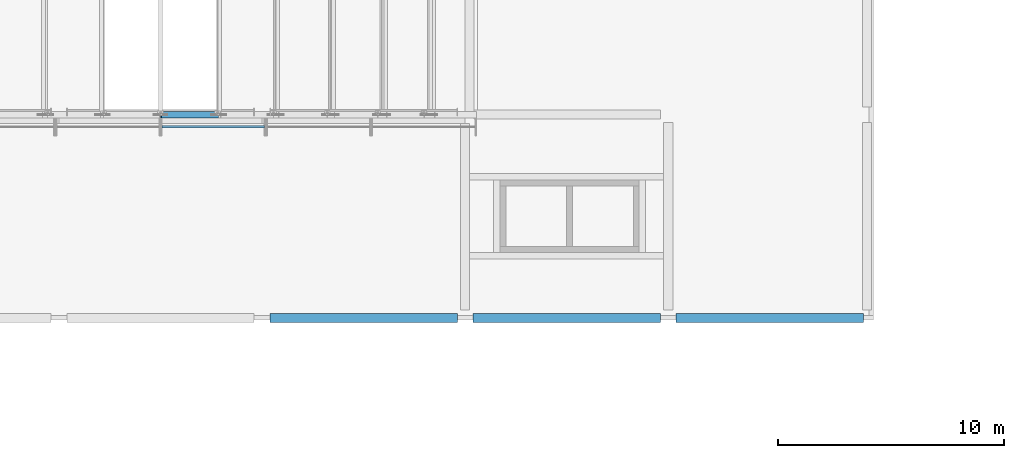
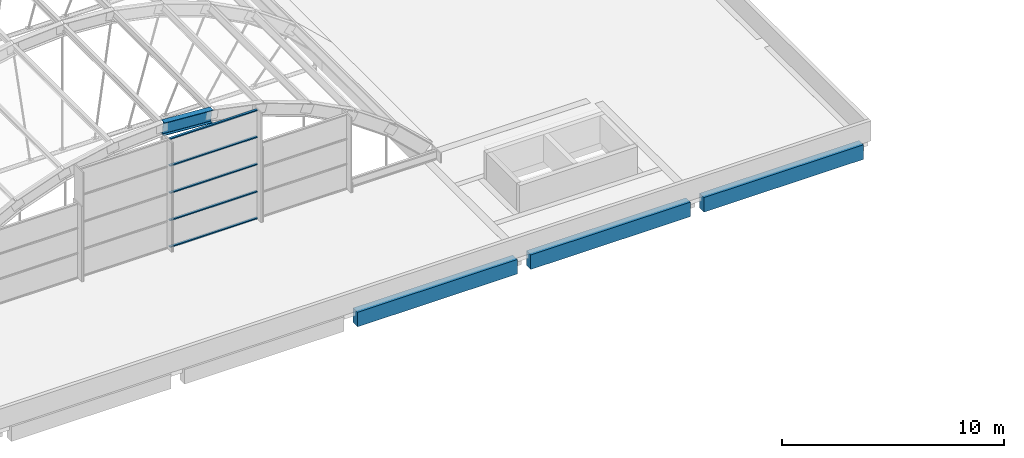
# One storey, part 6 of 43: 5 members, 4 beams, 1 element without a shape of its own.
"""IFC4 building model written with IfcOpenShell, lengths in metres."""

from ifc_helpers import new_model, si_unit, direction, frame, origin, origin_2d, place, context, subcontext, project, spatial, rectangle, i_section, extrude, material, layer, layer_set, material_profile, profile_set, type_object, element, aggregate, save


model = new_model("IFC4")

# Units and contexts
model_context = context("Model", 3, precision=1e-05, world=origin(), true_north=direction((0.0, 1.0)))
body_context = subcontext(model_context, "Body", "Model", "MODEL_VIEW")
ifc_project = project(units=[si_unit("LENGTHUNIT", "METRE"), si_unit("AREAUNIT", "SQUARE_METRE"), si_unit("VOLUMEUNIT", "CUBIC_METRE"), si_unit("PLANEANGLEUNIT", "RADIAN"), si_unit("MASSUNIT", "GRAM", prefix="KILO")], contexts=[model_context])

# Site, building, storey
site_placement = place(None, origin())
site = spatial("IfcSite", under=ifc_project, at=site_placement, CompositionType="ELEMENT")
building_placement = place(site_placement, origin())
building = spatial("IfcBuilding", under=site, at=building_placement, Name="Guidao Yard Department Store", CompositionType="ELEMENT")
storey_placement = place(building_placement, frame((0.0, 0.0, 28.5)))
storey = spatial("IfcBuildingStorey", under=building, at=storey_placement, Name="L06", CompositionType="ELEMENT", Elevation=28.5)

# Beams
ifc_material_1 = material(Name="Steel Q355B", Category="steel")
ifc_material_profile_1 = material_profile(ifc_material_1, i_section(OverallWidth=0.300048828125, OverallDepth=0.699951171875, WebThickness=0.012939453125, FlangeThickness=0.02392578125, FilletRadius=0.01806640625, at=origin_2d()), Name="HN 700x300x13x24")
ifc_profile_set_1 = profile_set([ifc_material_profile_1], Name="Steel Q355B")
beam_type_1 = type_object("IfcBeamType", Name="HN 700x300x13x24", PredefinedType="BEAM", material=ifc_profile_set_1)
beam_placement = place(storey_placement, frame((31.52392578125, 54.0, 6.252685546875), z_axis=(0.997662835171, 0.0, -0.06832911033), x_axis=(0.0, 1.0, 0.0)))
element("IfcBeam", 1, at=beam_placement, inside=storey, type_object=beam_type_1, Name="Roof rib A01-07", PredefinedType="BEAM", context=body_context, shape_type="SweptSolid", body=[
    extrude(i_section(OverallWidth=0.300048828125, OverallDepth=0.699951171875, WebThickness=0.012939453125, FlangeThickness=0.02392578125, FilletRadius=0.01806640625, at=origin_2d()), origin(), (0.0, 0.0, 1.0), 2.533203125),
])
ifc_material_2 = material(Name="Concrete C40", Category="concrete")
ifc_material_profile_2 = material_profile(ifc_material_2, rectangle(XDim=0.39990234375, YDim=0.800048828125, at=origin_2d()), Name="Spandrel beam 400 x 800 C40")
ifc_profile_set_2 = profile_set([ifc_material_profile_2], Name="Concrete C40")
beam_type_2 = type_object("IfcBeamType", Name="Spandrel beam 400 x 800 C40", PredefinedType="SPANDREL", material=ifc_profile_set_2)
for number, where, z_axis, x_axis, name in (
    (2, (36.35009765625, 45.0, -0.39990234375), (1.0, 0.0, 0.0), (0.0, 1.0, 0.0), "Beam EB16"),
    (3, (45.35009765625, 45.0, -0.39990234375), (1.0, 0.0, 0.0), (0.0, 1.0, 0.0), "Beam EB17"),
    (4, (54.35009765625, 45.0, -0.39990234375), (1.0, 0.0, 0.0), (0.0, 1.0, 0.0), "Beam EB18"),
):
    element("IfcBeam", number, at=place(storey_placement, frame(where, z_axis=z_axis, x_axis=x_axis)), inside=storey, type_object=beam_type_2, Name=name, PredefinedType="SPANDREL", context=body_context, shape_type="SweptSolid", body=[
        extrude(rectangle(XDim=0.39990234375, YDim=0.800048828125, at=origin_2d()), origin(), (0.0, 0.0, 1.0), 8.2998046875),
    ])

# Curtain wall, members
ifc_material_3 = material(Name="Aluminium and glass", Category="aluminium")
ifc_layer = layer(ifc_material_3, 0.159912109375)
ifc_layer_set = layer_set([ifc_layer], Name="Gable glazing CW7 1500 module")
curtain_wall_type = type_object("IfcCurtainWallType", Name="Gable glazing CW7 1500 module", PredefinedType="NOTDEFINED", material=ifc_layer_set)
curtain_wall_placement = place(storey_placement, origin())
curtain_wall = element("IfcCurtainWall", 5, at=curtain_wall_placement, inside=storey, type_object=curtain_wall_type, Name="Gable glazing AS4", PredefinedType="NOTDEFINED")
ifc_material_4 = material(Name="Aluminium 6063-T5", Category="aluminium")
ifc_material_profile_3 = material_profile(ifc_material_4, rectangle(XDim=0.1201171875, YDim=0.06005859375, at=origin_2d()), Name="Transom T1 60 x 120 aluminium pressure plate")
ifc_profile_set_3 = profile_set([ifc_material_profile_3], Name="Aluminium 6063-T5")
member_type = type_object("IfcMemberType", Name="Transom T1 60 x 120 aluminium pressure plate", PredefinedType="USERDEFINED", material=ifc_profile_set_3)
member_1_placement = place(storey_placement, frame((36.105224609375, 53.4599609375, 0.030029296875), z_axis=(-1.0, 0.0, 0.0), x_axis=(0.0, -1.0, 0.0)))
member_1 = element("IfcMember", 6, at=member_1_placement, type_object=member_type, Name="CW-TAS4 transom 1.1", ObjectType="TRANSOM", PredefinedType="USERDEFINED", context=body_context, shape_type="SweptSolid", body=[
    extrude(rectangle(XDim=0.1201171875, YDim=0.06005859375, at=origin_2d()), origin(), (0.0, 0.0, 1.0), 4.545166015625),
])
member_2_placement = place(storey_placement, frame((36.105224609375, 53.4599609375, 1.5), z_axis=(-1.0, 0.0, 0.0), x_axis=(0.0, -1.0, 0.0)))
member_2 = element("IfcMember", 7, at=member_2_placement, type_object=member_type, Name="CW-TAS4 transom 1.2", ObjectType="TRANSOM", PredefinedType="USERDEFINED", context=body_context, shape_type="SweptSolid", body=[
    extrude(rectangle(XDim=0.1201171875, YDim=0.06005859375, at=origin_2d()), origin(), (0.0, 0.0, 1.0), 4.545166015625),
])
member_3_placement = place(storey_placement, frame((36.105224609375, 53.4599609375, 3.0), z_axis=(-1.0, 0.0, 0.0), x_axis=(0.0, -1.0, 0.0)))
member_3 = element("IfcMember", 8, at=member_3_placement, type_object=member_type, Name="CW-TAS4 transom 1.3", ObjectType="TRANSOM", PredefinedType="USERDEFINED", context=body_context, shape_type="SweptSolid", body=[
    extrude(rectangle(XDim=0.1201171875, YDim=0.06005859375, at=origin_2d()), origin(), (0.0, 0.0, 1.0), 4.545166015625),
])
member_4_placement = place(storey_placement, frame((36.105224609375, 53.4599609375, 4.5), z_axis=(-1.0, 0.0, 0.0), x_axis=(0.0, -1.0, 0.0)))
member_4 = element("IfcMember", 9, at=member_4_placement, type_object=member_type, Name="CW-TAS4 transom 1.4", ObjectType="TRANSOM", PredefinedType="USERDEFINED", context=body_context, shape_type="SweptSolid", body=[
    extrude(rectangle(XDim=0.1201171875, YDim=0.06005859375, at=origin_2d()), origin(), (0.0, 0.0, 1.0), 4.545166015625),
])
member_5_placement = place(storey_placement, frame((36.105224609375, 53.4599609375, 5.969970703125), z_axis=(-1.0, 0.0, 0.0), x_axis=(0.0, -1.0, 0.0)))
member_5 = element("IfcMember", 10, at=member_5_placement, type_object=member_type, Name="CW-TAS4 transom 1.5", ObjectType="TRANSOM", PredefinedType="USERDEFINED", context=body_context, shape_type="SweptSolid", body=[
    extrude(rectangle(XDim=0.1201171875, YDim=0.06005859375, at=origin_2d()), origin(), (0.0, 0.0, 1.0), 4.545166015625),
])
aggregate(curtain_wall, [member_1, member_2, member_3, member_4, member_5])

save(model, "model.ifc")
